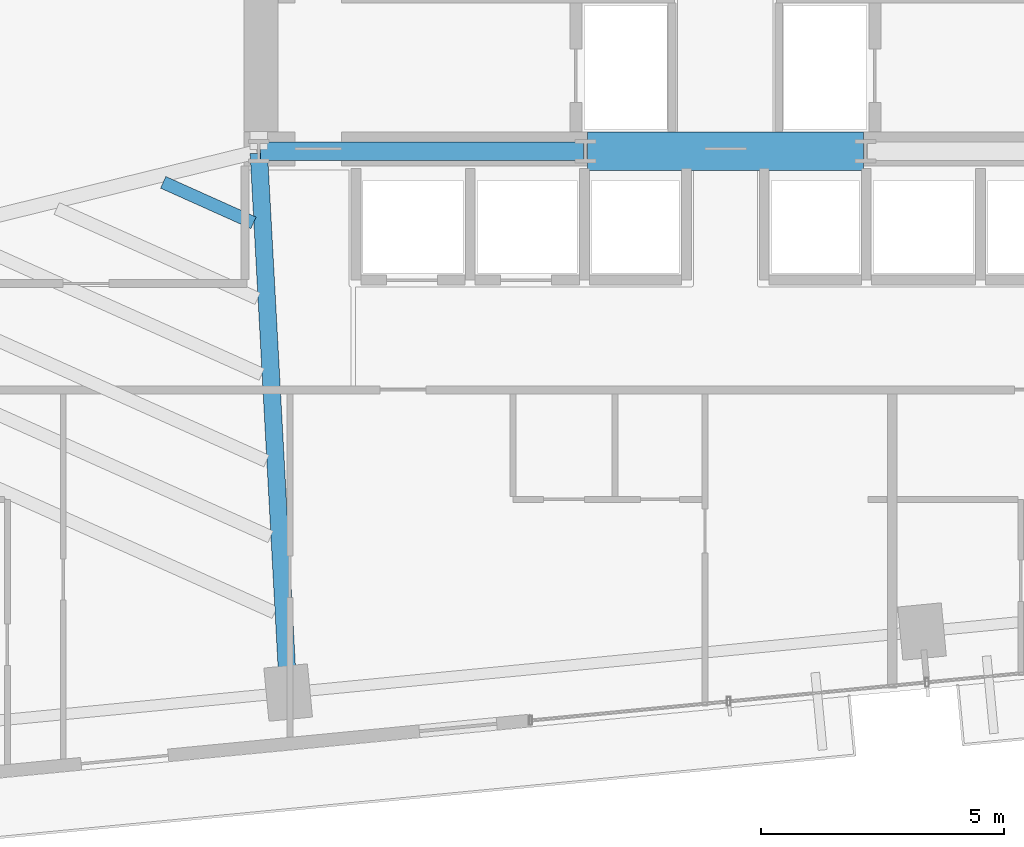
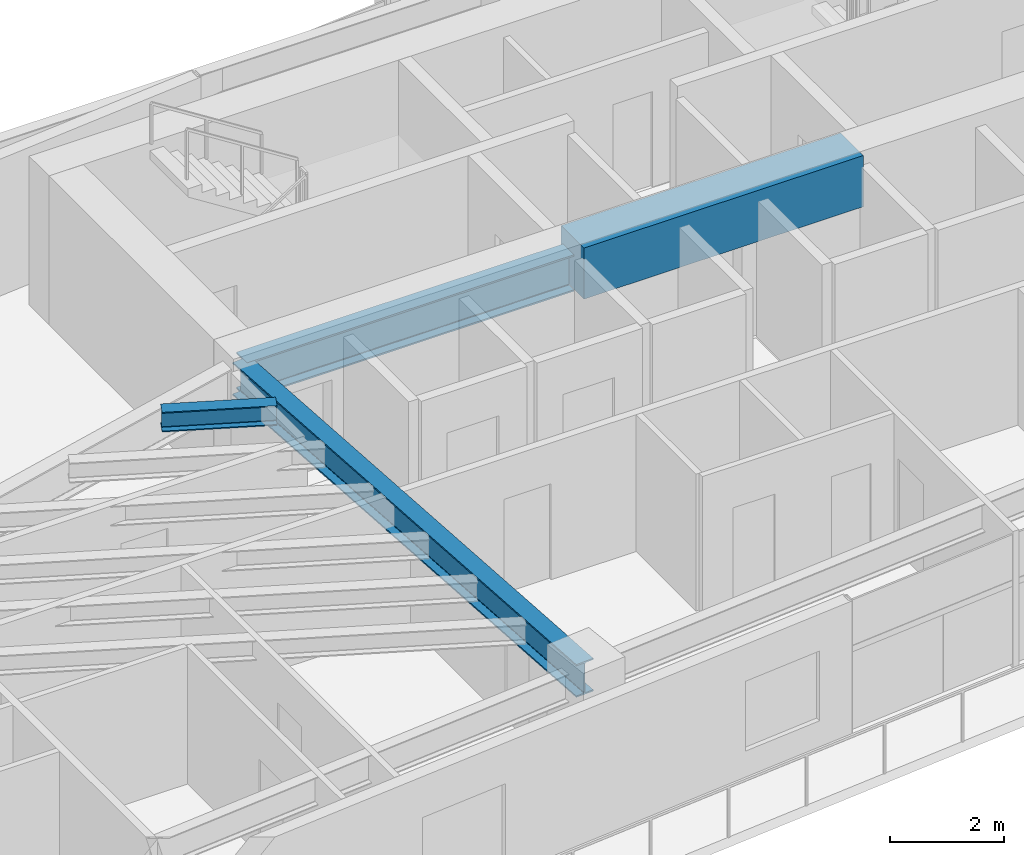
# One storey, part 7 of 27: 4 beams.
"""IFC4 building model written with IfcOpenShell, lengths in metres."""

import ifcopenshell
import ifcopenshell.guid

model = None  # the IFC model being written
_history = None  # IfcOwnerHistory: only IFC2X3 demands one
_inside = {}  # id of a spatial element -> (the spatial element, [elements in it])
_under = {}  # id of a project, library or spatial element -> (it, [spatial elements below it])
_declared = {}  # id of a project -> (the project, [libraries it declares])
_typed = {}  # id of a type object -> (the type object, [elements of that type])
_made_of = {}  # id of a material, layer set ... -> (it, [elements and type objects made of it])


def new_model(schema):
    """Start an empty IFC model of exactly this schema.

    Asked for "IFC4X3", IfcOpenShell would pick the latest addendum, in which some entities
    have other attributes; the version numbers below select the first issue.
    IFC2X3 requires an IfcOwnerHistory on every rooted entity: one is made here for all.
    """
    global model, _history
    if schema == "IFC4X3":
        model = ifcopenshell.file(schema_version=(4, 3, 0, 0))
    else:
        model = ifcopenshell.file(schema=schema)
    _inside.clear()
    _under.clear()
    _declared.clear()
    _typed.clear()
    _made_of.clear()
    _history = None
    if model.schema == "IFC2X3":
        org = make("IfcOrganization", Name="unknown")
        user = make(
            "IfcPersonAndOrganization",
            ThePerson=make("IfcPerson", FamilyName="unknown"),
            TheOrganization=org,
        )
        app = make(
            "IfcApplication",
            ApplicationDeveloper=org,
            Version="unknown",
            ApplicationFullName="unknown",
            ApplicationIdentifier="unknown",
        )
        _history = make(
            "IfcOwnerHistory",
            OwningUser=user,
            OwningApplication=app,
            ChangeAction="ADDED",
            CreationDate=0,
        )
    return model


def make(cls, **values):
    """One entity of the class cls with the attributes given. An attribute that is None is left unset."""
    return model.create_entity(
        cls, **{name: value for name, value in values.items() if value is not None}
    )


def rooted(cls, **values):
    """An entity with a GlobalId (a new one), such as an element, a storey or a relation."""
    return make(cls, GlobalId=ifcopenshell.guid.new(), OwnerHistory=_history, **values)


def si_unit(unit_type, name, prefix=None):
    """IfcSIUnit, for example si_unit("LENGTHUNIT", "METRE", prefix="MILLI")."""
    return make("IfcSIUnit", UnitType=unit_type, Prefix=prefix, Name=name)


def assignment(units):
    """IfcUnitAssignment: the units of a project."""
    return None if units is None else make("IfcUnitAssignment", Units=units)


def point(xyz):
    """IfcCartesianPoint."""
    return None if xyz is None else make("IfcCartesianPoint", Coordinates=xyz)


def direction(xyz):
    """IfcDirection."""
    return None if xyz is None else make("IfcDirection", DirectionRatios=xyz)


def frame(location, z_axis=None, x_axis=None):
    """IfcAxis2Placement3D, a coordinate frame: its origin and axes. An axis left out is left unset."""
    return make(
        "IfcAxis2Placement3D",
        Location=point(location),
        Axis=direction(z_axis),
        RefDirection=direction(x_axis),
    )


def frame_2d(location, x_axis=None):
    """IfcAxis2Placement2D, a coordinate frame in the plane: its origin and x axis."""
    return make(
        "IfcAxis2Placement2D", Location=point(location), RefDirection=direction(x_axis)
    )


def origin():
    """The frame at (0, 0, 0) with its axes left unset."""
    return frame((0.0, 0.0, 0.0))


def origin_2d():
    """The frame at (0, 0) in the plane with its x axis left unset."""
    return frame_2d((0.0, 0.0))


def place(relative_to, where):
    """IfcLocalPlacement: puts the frame where relative to a parent placement (None: the world)."""
    return make(
        "IfcLocalPlacement", PlacementRelTo=relative_to, RelativePlacement=where
    )


def context(
    kind, dimensions, precision=None, world=None, true_north=None, identifier=None
):
    """IfcGeometricRepresentationContext, for example the 3D "Model" context."""
    return make(
        "IfcGeometricRepresentationContext",
        ContextIdentifier=identifier,
        ContextType=kind,
        CoordinateSpaceDimension=dimensions,
        Precision=precision,
        WorldCoordinateSystem=world,
        TrueNorth=true_north,
    )


def subcontext(parent, identifier, kind, view, scale=None):
    """IfcGeometricRepresentationSubContext, for example "Body" below "Model"."""
    return make(
        "IfcGeometricRepresentationSubContext",
        ContextIdentifier=identifier,
        ContextType=kind,
        ParentContext=parent,
        TargetScale=scale,
        TargetView=view,
    )


def project(units=None, contexts=None):
    """IfcProject with its units and contexts."""
    return rooted(
        "IfcProject",
        Name="project",
        RepresentationContexts=contexts,
        UnitsInContext=assignment(units),
    )


def spatial(cls, under=None, at=None, **own):
    """A site, building, storey or space (cls), placed at a placement, below another one or the project."""
    s = rooted(cls, ObjectPlacement=at, **own)
    if under is not None:
        _under.setdefault(under.id(), (under, []))[1].append(s)
    return s


def profile(cls, at=None, kind="AREA", **sizes):
    """A parametric profile (cls). Its sizes go by their IFC names, for example OverallWidth=200.0."""
    return make(cls, ProfileType=kind, Position=at, **sizes)


def rectangle(**sizes):
    """IfcRectangleProfileDef."""
    return profile("IfcRectangleProfileDef", **sizes)


def i_section(**sizes):
    """IfcIShapeProfileDef."""
    return profile("IfcIShapeProfileDef", **sizes)


def extrude(swept, where, along, depth):
    """IfcExtrudedAreaSolid: the profile swept, set in the frame where, extruded along a direction by depth."""
    return make(
        "IfcExtrudedAreaSolid",
        SweptArea=swept,
        Position=where,
        ExtrudedDirection=direction(along),
        Depth=depth,
    )


def shape(context_of_items, identifier, shape_type, items):
    """IfcShapeRepresentation: the items that make up one representation, for example the "Body"."""
    return make(
        "IfcShapeRepresentation",
        ContextOfItems=context_of_items,
        RepresentationIdentifier=identifier,
        RepresentationType=shape_type,
        Items=items,
    )


def source(mapping_origin, context_of_items, identifier, shape_type, items):
    """IfcRepresentationMap: a shape defined once, which mapped items show again and again."""
    return make(
        "IfcRepresentationMap",
        MappingOrigin=mapping_origin,
        MappedRepresentation=shape(context_of_items, identifier, shape_type, items),
    )


def transform(
    local_origin,
    x_axis=None,
    y_axis=None,
    z_axis=None,
    scale=None,
    scale2=None,
    scale3=None,
    uniform=True,
):
    """IfcCartesianTransformationOperator3D, or its non-uniform kind. x_axis, y_axis, z_axis: its Axis1, 2, 3."""
    if uniform:
        return make(
            "IfcCartesianTransformationOperator3D",
            Axis1=direction(x_axis),
            Axis2=direction(y_axis),
            LocalOrigin=point(local_origin),
            Scale=scale,
            Axis3=direction(z_axis),
        )
    return make(
        "IfcCartesianTransformationOperator3DnonUniform",
        Axis1=direction(x_axis),
        Axis2=direction(y_axis),
        LocalOrigin=point(local_origin),
        Scale=scale,
        Axis3=direction(z_axis),
        Scale2=scale2,
        Scale3=scale3,
    )


def mapped(mapping_source, mapping_target):
    """IfcMappedItem: shows the shape of a source again, moved by a transform."""
    return make(
        "IfcMappedItem", MappingSource=mapping_source, MappingTarget=mapping_target
    )


def material(Name=None, Category=None):
    """IfcMaterial."""
    return make("IfcMaterial", Name=Name, Category=Category)


def material_profile(
    of_material, cross_section, Name=None, Category=None, Priority=None
):
    """IfcMaterialProfile: a cross section and its material."""
    return make(
        "IfcMaterialProfile",
        Name=Name,
        Material=of_material,
        Profile=cross_section,
        Priority=Priority,
        Category=Category,
    )


def profile_set(profiles, Name=None, composite=None):
    """IfcMaterialProfileSet."""
    return make(
        "IfcMaterialProfileSet",
        Name=Name,
        MaterialProfiles=profiles,
        CompositeProfile=composite,
    )


def made_of(thing, what):
    """Note that an element or type object is made of a material, layer set ...; save() writes the relation."""
    if what is not None:
        _made_of.setdefault(what.id(), (what, []))[1].append(thing)
    return thing


def type_object(cls, material=None, **own):
    """A type object (cls), such as IfcWallType, which elements share."""
    return made_of(rooted(cls, **own), material)


def type_shapes(of_type, sources):
    """Give a type object the sources (RepresentationMaps) that its elements show as mapped items."""
    of_type.RepresentationMaps = sources


def element(
    cls,
    number,
    at=None,
    inside=None,
    cuts=None,
    type_object=None,
    material=None,
    context=None,
    identifier="Body",
    shape_type=None,
    held_by="IfcProductDefinitionShape",
    body=None,
    shapes=None,
    **own,
):
    """One element of the class cls, such as IfcWall. Its Tag is "e" and its number.

    at: its placement. inside: the storey or other place that contains it. cuts: it is an
    opening in that element (IfcRelVoidsElement). A single representation is given by context,
    identifier, shape_type and body (its items); several are given by shapes. held_by: the class
    of the entity that holds the representations. save() writes the other relations.
    """
    e = rooted(cls, Tag="e%d" % number, ObjectPlacement=at, **own)
    if body is not None:
        shapes = [shape(context, identifier, shape_type, body)]
    if shapes is not None:
        e.Representation = make(held_by, Representations=shapes)
    if inside is not None:
        _inside.setdefault(inside.id(), (inside, []))[1].append(e)
    if cuts is not None:
        rooted(
            "IfcRelVoidsElement", RelatingBuildingElement=cuts, RelatedOpeningElement=e
        )
    if type_object is not None:
        _typed.setdefault(type_object.id(), (type_object, []))[1].append(e)
    return made_of(e, material)


def aggregate(whole, parts):
    """IfcRelAggregates: a whole, such as a stair, and the parts it consists of."""
    return rooted("IfcRelAggregates", RelatingObject=whole, RelatedObjects=parts)


def save(model, path):
    """Write the relations noted so far, then the file.

    IfcRelAggregates (storeys below a building ...), IfcRelContainedInSpatialStructure (elements
    in a storey), IfcRelDefinesByType, IfcRelAssociatesMaterial and IfcRelDeclares: one each for
    every whole, place, type object, material and project.
    """
    for whole, parts in _under.values():
        aggregate(whole, parts)
    for where, things in _inside.values():
        rooted(
            "IfcRelContainedInSpatialStructure",
            RelatedElements=things,
            RelatingStructure=where,
        )
    for kind, things in _typed.values():
        rooted("IfcRelDefinesByType", RelatedObjects=things, RelatingType=kind)
    for what, things in _made_of.values():
        rooted("IfcRelAssociatesMaterial", RelatedObjects=things, RelatingMaterial=what)
    for by, libraries in _declared.values():
        rooted("IfcRelDeclares", RelatingContext=by, RelatedDefinitions=libraries)
    model.write(path)


model = new_model("IFC4")

# Units and contexts
model_context = context("Model", 3, precision=1e-05, world=origin(), true_north=direction((0.0, 1.0)))
body_context = subcontext(model_context, "Body", "Model", "MODEL_VIEW")
ifc_project = project(units=[si_unit("LENGTHUNIT", "METRE"), si_unit("AREAUNIT", "SQUARE_METRE"), si_unit("VOLUMEUNIT", "CUBIC_METRE"), si_unit("PLANEANGLEUNIT", "RADIAN"), si_unit("MASSUNIT", "GRAM", prefix="KILO")], contexts=[model_context])

# Site, building, storey
site_placement = place(None, origin())
site = spatial("IfcSite", under=ifc_project, at=site_placement, CompositionType="ELEMENT")
building_placement = place(site_placement, origin())
building = spatial("IfcBuilding", under=site, at=building_placement, Name="Astriad Promenade Condominiums", CompositionType="ELEMENT")
storey_placement = place(building_placement, frame((0.0, 0.0, 87.39990234375)))
storey = spatial("IfcBuildingStorey", under=building, at=storey_placement, Name="L24", CompositionType="ELEMENT", Elevation=87.39990234375)

# Beams
ifc_material_1 = material(Name="Steel ASTM A992 Grade 50", Category="steel")
ifc_material_profile_1 = material_profile(ifc_material_1, i_section(OverallWidth=0.3837890625, OverallDepth=0.785888671875, WebThickness=0.019775390625, FlangeThickness=0.033447265625, FilletRadius=0.021484375, at=origin_2d()), Name="W30X211")
ifc_profile_set_1 = profile_set([ifc_material_profile_1], Name="Steel ASTM A992 Grade 50")
beam_type_1 = type_object("IfcBeamType", Name="STEEL FLOOR GIRDER W30X211", PredefinedType="BEAM", material=ifc_profile_set_1)
shared_shape_1 = source(origin(), body_context, "Body", "SweptSolid", [
    extrude(i_section(OverallWidth=0.3837890625, OverallDepth=0.785888671875, WebThickness=0.019775390625, FlangeThickness=0.033447265625, FilletRadius=0.021484375, at=origin_2d()), origin(), (0.0, 0.0, 1.0), 6.64013671875),
])
type_shapes(beam_type_1, [shared_shape_1])
beam_1_placement = place(storey_placement, frame((26.43994140625, 17.39990234375, 2.547119140625), z_axis=(1.0, 0.0, 0.0), x_axis=(0.0, 1.0, 0.0)))
element("IfcBeam", 1, at=beam_1_placement, inside=storey, type_object=beam_type_1, Name="Core Ring Beam CG-S1-L24", PredefinedType="BEAM", context=body_context, shape_type="MappedRepresentation", body=[
    mapped(shared_shape_1, transform((0.0, 0.0, 0.0), scale=1.0)),
])
ifc_material_2 = material(Name="Concrete C80/95", Category="concrete")
ifc_material_profile_2 = material_profile(ifc_material_2, rectangle(XDim=0.800048828125, YDim=1.10009765625, at=origin_2d()), Name="RC-BM-800X1100")
ifc_profile_set_2 = profile_set([ifc_material_profile_2], Name="Concrete C80/95")
beam_type_2 = type_object("IfcBeamType", Name="CONCRETE CORE COUPLING LINTEL 800X1100", PredefinedType="LINTEL", material=ifc_profile_set_2)
shared_shape_2 = source(origin(), body_context, "Body", "SweptSolid", [
    extrude(rectangle(XDim=0.800048828125, YDim=1.10009765625, at=origin_2d()), origin(), (0.0, 0.0, 1.0), 5.68017578125),
])
type_shapes(beam_type_2, [shared_shape_2])
beam_2_placement = place(storey_placement, frame((33.159912109375, 17.39990234375, 2.630126953125), z_axis=(1.0, 0.0, 0.0), x_axis=(0.0, 1.0, 0.0)))
element("IfcBeam", 2, at=beam_2_placement, inside=storey, type_object=beam_type_2, Name="Core Ring Beam CG-S2-L24", PredefinedType="LINTEL", context=body_context, shape_type="MappedRepresentation", body=[
    mapped(shared_shape_2, transform((0.0, 0.0, 0.0), scale=1.0)),
])
ifc_material_profile_3 = material_profile(ifc_material_1, i_section(OverallWidth=0.35791015625, OverallDepth=0.706298828125, WebThickness=0.018310546875, FlangeThickness=0.0302734375, FilletRadius=0.020263671875, at=origin_2d()), Name="W27X178")
ifc_profile_set_3 = profile_set([ifc_material_profile_3], Name="Steel ASTM A992 Grade 50")
beam_type_3 = type_object("IfcBeamType", Name="STEEL FLOOR GIRDER W27X178", PredefinedType="BEAM", material=ifc_profile_set_3)
shared_shape_3 = source(origin(), body_context, "Body", "SweptSolid", [
    extrude(i_section(OverallWidth=0.35791015625, OverallDepth=0.706298828125, WebThickness=0.018310546875, FlangeThickness=0.0302734375, FilletRadius=0.020263671875, at=origin_2d()), origin(), (0.0, 0.0, 1.0), 11.071533203125),
])
type_shapes(beam_type_3, [shared_shape_3])
beam_3_placement = place(storey_placement, frame((27.00341796875, 6.304931640625, 2.5869140625), z_axis=(-0.05431219074, 0.998524003686, 0.0), x_axis=(-0.998524003686, -0.05431219074, 0.0)))
element("IfcBeam", 3, at=beam_3_placement, inside=storey, type_object=beam_type_3, Name="Primary Floor Girder PG-W2-L24", PredefinedType="BEAM", context=body_context, shape_type="MappedRepresentation", body=[
    mapped(shared_shape_3, transform((0.0, 0.0, 0.0), scale=1.0)),
])
ifc_material_profile_4 = material_profile(ifc_material_1, i_section(OverallWidth=0.26318359375, OverallDepth=0.425537109375, WebThickness=0.01318359375, FlangeThickness=0.022216796875, FilletRadius=0.013916015625, at=origin_2d()), Name="W16X89")
ifc_profile_set_4 = profile_set([ifc_material_profile_4], Name="Steel ASTM A992 Grade 50")
beam_type_4 = type_object("IfcBeamType", Name="STEEL FLOOR JOIST W16X89", PredefinedType="JOIST", material=ifc_profile_set_4)
shared_shape_4 = source(origin(), body_context, "Body", "SweptSolid", [
    extrude(i_section(OverallWidth=0.26318359375, OverallDepth=0.425537109375, WebThickness=0.01318359375, FlangeThickness=0.022216796875, FilletRadius=0.013916015625, at=origin_2d()), origin(), (0.0, 0.0, 1.0), 2.03564453125),
])
type_shapes(beam_type_4, [shared_shape_4])
beam_4_placement = place(storey_placement, frame((24.434814453125, 16.76123046875, 2.727294921875), z_axis=(0.912286908711, -0.409551701492, 0.0), x_axis=(0.409551701492, 0.912286908711, 0.0)))
element("IfcBeam", 4, at=beam_4_placement, inside=storey, type_object=beam_type_4, Name="Secondary Composite Floor Joist JW1-6-L24", PredefinedType="JOIST", context=body_context, shape_type="MappedRepresentation", body=[
    mapped(shared_shape_4, transform((0.0, 0.0, 0.0), scale=1.0)),
])

save(model, "model.ifc")
